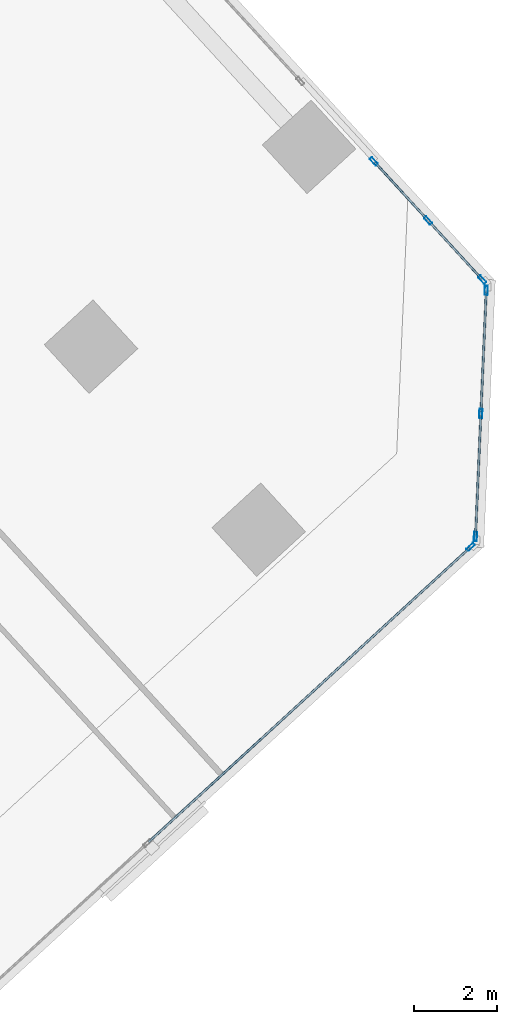
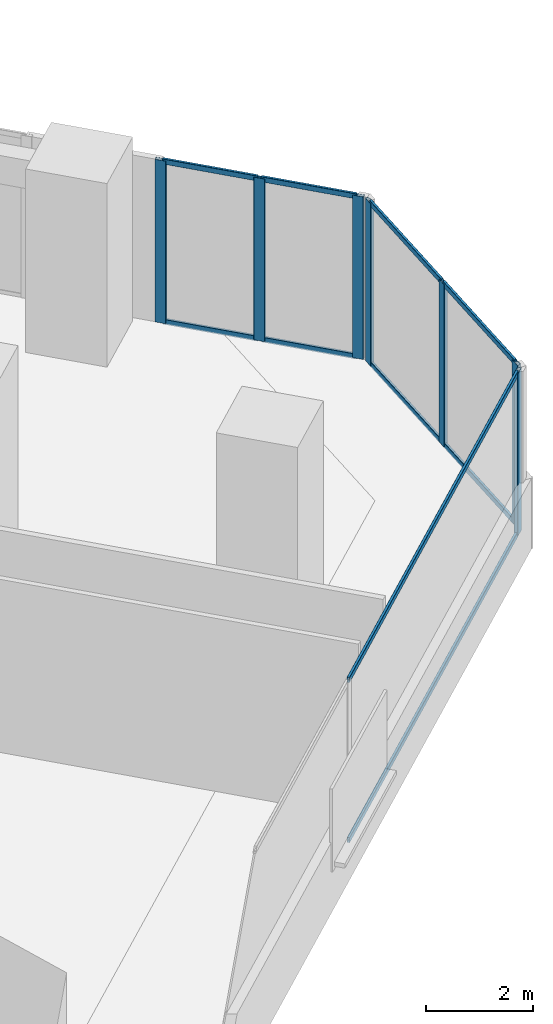
# One storey, part 6 of 16: 17 members, 3 elements without a shape of their own.
"""IFC4 building model written with IfcOpenShell, lengths in metres."""

from ifc_helpers import new_model, si_unit, direction, frame, origin, origin_2d, place, context, subcontext, project, spatial, hollow_rectangle, extrude, source, transform, mapped, material, material_profile, profile_set, type_object, element, aggregate, save


model = new_model("IFC4")

# Units and contexts
model_context = context("Model", 3, precision=1e-05, world=origin(), true_north=direction((0.0, 1.0)))
body_context = subcontext(model_context, "Body", "Model", "MODEL_VIEW")
ifc_project = project(units=[si_unit("LENGTHUNIT", "METRE"), si_unit("AREAUNIT", "SQUARE_METRE"), si_unit("VOLUMEUNIT", "CUBIC_METRE"), si_unit("PLANEANGLEUNIT", "RADIAN"), si_unit("MASSUNIT", "GRAM", prefix="KILO")], contexts=[model_context])

# Site, building, storey
site_placement = place(None, origin())
site = spatial("IfcSite", under=ifc_project, at=site_placement, CompositionType="ELEMENT")
building_placement = place(site_placement, origin())
building = spatial("IfcBuilding", under=site, at=building_placement, Name="Torre Montelarca", CompositionType="ELEMENT")
storey_placement = place(building_placement, frame((0.0, 0.0, 262.60009765625)))
storey = spatial("IfcBuildingStorey", under=building, at=storey_placement, Name="L59", CompositionType="ELEMENT", Elevation=262.60009765625)

# Curtain wall, members
ifc_material_1 = material(Name="Insulated low-E laminated glass", Category="glass")
curtain_wall_type = type_object("IfcCurtainWallType", Name="CW-SYS-Z3", PredefinedType="USERDEFINED", material=ifc_material_1)
curtain_wall_1_placement = place(storey_placement, origin())
curtain_wall_1 = element("IfcCurtainWall", 1, at=curtain_wall_1_placement, inside=storey, type_object=curtain_wall_type, Name="L59 Curtain Wall Run CW-T3-L59-E07-B1", ObjectType="UNITISED GLAZING", PredefinedType="USERDEFINED")
ifc_material_2 = material(Name="Anodised aluminium AA 6063-T6", Category="aluminium")
ifc_material_profile_1 = material_profile(ifc_material_2, hollow_rectangle(XDim=0.054931640625, YDim=0.1201171875, WallThickness=0.00341796875, InnerFilletRadius=0.00341796875, OuterFilletRadius=0.007080078125, at=origin_2d()), Name="ALU55X120X3.5", Category="aluminium")
ifc_profile_set_1 = profile_set([ifc_material_profile_1], Name="Anodised aluminium AA 6063-T6")
member_type_1 = type_object("IfcMemberType", Name="CWT-ALU120", PredefinedType="USERDEFINED", material=ifc_profile_set_1)
shared_shape_1 = source(origin(), body_context, "Body", "SweptSolid", [
    extrude(hollow_rectangle(XDim=0.054931640625, YDim=0.1201171875, WallThickness=0.00341796875, InnerFilletRadius=0.00341796875, OuterFilletRadius=0.007080078125, at=origin_2d()), origin(), (0.0, 0.0, 1.0), 2.903564453125),
])
member_1_placement = place(storey_placement, frame((46.4912109375, 22.1611328125, 0.02734375), z_axis=(0.043637906688, 0.999047412839, 0.0), x_axis=(-0.999047412839, 0.043637906688, 0.0)))
member_1 = element("IfcMember", 2, at=member_1_placement, type_object=member_type_1, Name="CW transom 1.1", ObjectType="TRANSOM", PredefinedType="USERDEFINED", context=body_context, shape_type="MappedRepresentation", body=[
    mapped(shared_shape_1, transform((0.0, 0.0, 0.0), scale=1.0)),
])
member_2_placement = place(storey_placement, frame((46.4912109375, 22.1611328125, 3.6923828125), z_axis=(0.043637906688, 0.999047412839, 0.0), x_axis=(-0.999047412839, 0.043637906688, 0.0)))
member_2 = element("IfcMember", 3, at=member_2_placement, type_object=member_type_1, Name="CW transom 1.2", ObjectType="TRANSOM", PredefinedType="USERDEFINED", context=body_context, shape_type="MappedRepresentation", body=[
    mapped(shared_shape_1, transform((0.0, 0.0, 0.0), scale=1.0)),
])
member_3_placement = place(storey_placement, frame((46.62109375, 25.136962890625, 0.02734375), z_axis=(0.043637906688, 0.999047412839, 0.0), x_axis=(-0.999047412839, 0.043637906688, 0.0)))
member_3 = element("IfcMember", 4, at=member_3_placement, type_object=member_type_1, Name="CW transom 2.1", ObjectType="TRANSOM", PredefinedType="USERDEFINED", context=body_context, shape_type="MappedRepresentation", body=[
    mapped(shared_shape_1, transform((0.0, 0.0, 0.0), scale=1.0)),
])
member_4_placement = place(storey_placement, frame((46.62109375, 25.136962890625, 3.6923828125), z_axis=(0.043637906688, 0.999047412839, 0.0), x_axis=(-0.999047412839, 0.043637906688, 0.0)))
member_4 = element("IfcMember", 5, at=member_4_placement, type_object=member_type_1, Name="CW transom 2.2", ObjectType="TRANSOM", PredefinedType="USERDEFINED", context=body_context, shape_type="MappedRepresentation", body=[
    mapped(shared_shape_1, transform((0.0, 0.0, 0.0), scale=1.0)),
])

# Curtain wall, member
curtain_wall_2_placement = place(storey_placement, origin())
curtain_wall_2 = element("IfcCurtainWall", 6, at=curtain_wall_2_placement, inside=storey, type_object=curtain_wall_type, Name="L59 Curtain Wall Run CW-T3-L59-E06-B1", ObjectType="UNITISED GLAZING", PredefinedType="USERDEFINED")
ifc_material_profile_2 = material_profile(ifc_material_2, hollow_rectangle(XDim=0.074951171875, YDim=0.219970703125, WallThickness=0.0048828125, InnerFilletRadius=0.0048828125, OuterFilletRadius=0.010009765625, at=origin_2d()), Name="ALU75X220X5", Category="aluminium")
ifc_profile_set_2 = profile_set([ifc_material_profile_2], Name="Anodised aluminium AA 6063-T6")
member_type_2 = type_object("IfcMemberType", Name="CWM-ALU220", PredefinedType="MULLION", material=ifc_profile_set_2)
shared_shape_2 = source(origin(), body_context, "Body", "SweptSolid", [
    extrude(hollow_rectangle(XDim=0.074951171875, YDim=0.219970703125, WallThickness=0.0048828125, InnerFilletRadius=0.0048828125, OuterFilletRadius=0.010009765625, at=origin_2d()), origin(), (0.0, 0.0, 1.0), 3.719970703125),
])
member_5_placement = place(storey_placement, frame((46.372802734375, 21.873291015625, 0.0), z_axis=(0.0, 0.0, 1.0), x_axis=(-0.675587287841, 0.73728001228, 0.0)))
member_5 = element("IfcMember", 7, at=member_5_placement, type_object=member_type_2, Name="CW mullion 3", PredefinedType="MULLION", context=body_context, shape_type="MappedRepresentation", body=[
    mapped(shared_shape_2, transform((0.0, 0.0, 0.0), scale=1.0)),
])

# Member
member_6_placement = place(storey_placement, frame((46.489501953125, 22.123779296875, 0.0), z_axis=(0.0, 0.0, 1.0), x_axis=(-0.999048385364, 0.043615635968, 0.0)))
member_6 = element("IfcMember", 8, at=member_6_placement, type_object=member_type_2, Name="CW mullion 1", PredefinedType="MULLION", context=body_context, shape_type="MappedRepresentation", body=[
    mapped(shared_shape_2, transform((0.0, 0.0, 0.0), scale=1.0)),
])

member_7_placement = place(storey_placement, frame((46.619384765625, 25.099365234375, 0.0), z_axis=(0.0, 0.0, 1.0), x_axis=(-0.999048385364, 0.043615635968, 0.0)))
member_7 = element("IfcMember", 9, at=member_7_placement, type_object=member_type_2, Name="CW mullion 2", PredefinedType="MULLION", context=body_context, shape_type="MappedRepresentation", body=[
    mapped(shared_shape_2, transform((0.0, 0.0, 0.0), scale=1.0)),
])

member_8_placement = place(storey_placement, frame((46.749267578125, 28.0751953125, 0.0), z_axis=(0.0, 0.0, 1.0), x_axis=(-0.999048385364, 0.043615635968, 0.0)))
member_8 = element("IfcMember", 10, at=member_8_placement, type_object=member_type_2, Name="CW mullion 3", PredefinedType="MULLION", context=body_context, shape_type="MappedRepresentation", body=[
    mapped(shared_shape_2, transform((0.0, 0.0, 0.0), scale=1.0)),
])

aggregate(curtain_wall_1, [member_6, member_7, member_8, member_1, member_2, member_3, member_4])

# Curtain wall, members
curtain_wall_3_placement = place(storey_placement, origin())
curtain_wall_3 = element("IfcCurtainWall", 11, at=curtain_wall_3_placement, inside=storey, type_object=curtain_wall_type, Name="L59 Curtain Wall Run CW-T3-L59-E08-B1", ObjectType="UNITISED GLAZING", PredefinedType="USERDEFINED")
member_9_placement = place(storey_placement, frame((46.65478515625, 28.334716796875, 0.0), z_axis=(0.0, 0.0, 1.0), x_axis=(-0.73728639427, -0.675580323, 0.0)))
member_9 = element("IfcMember", 12, at=member_9_placement, type_object=member_type_2, Name="CW mullion 1", PredefinedType="MULLION", context=body_context, shape_type="MappedRepresentation", body=[
    mapped(shared_shape_2, transform((0.0, 0.0, 0.0), scale=1.0)),
])
member_10_placement = place(storey_placement, frame((45.344482421875, 29.764892578125, 0.0), z_axis=(0.0, 0.0, 1.0), x_axis=(-0.73728639427, -0.675580323, 0.0)))
member_10 = element("IfcMember", 13, at=member_10_placement, type_object=member_type_2, Name="CW mullion 2", PredefinedType="MULLION", context=body_context, shape_type="MappedRepresentation", body=[
    mapped(shared_shape_2, transform((0.0, 0.0, 0.0), scale=1.0)),
])
member_11_placement = place(storey_placement, frame((44.0341796875, 31.19482421875, 0.0), z_axis=(0.0, 0.0, 1.0), x_axis=(-0.73728639427, -0.675580323, 0.0)))
member_11 = element("IfcMember", 14, at=member_11_placement, type_object=member_type_2, Name="CW mullion 3", PredefinedType="MULLION", context=body_context, shape_type="MappedRepresentation", body=[
    mapped(shared_shape_2, transform((0.0, 0.0, 0.0), scale=1.0)),
])

# Member
shared_shape_3 = source(origin(), body_context, "Body", "SweptSolid", [
    extrude(hollow_rectangle(XDim=0.054931640625, YDim=0.1201171875, WallThickness=0.00341796875, InnerFilletRadius=0.00341796875, OuterFilletRadius=0.007080078125, at=origin_2d()), origin(), (0.0, 0.0, 1.0), 10.521484375),
])
member_12_placement = place(storey_placement, frame((38.587890625, 14.73974609375, 0.02734375), z_axis=(0.737283193408, 0.675583816205, 0.0), x_axis=(-0.675583816205, 0.737283193408, 0.0)))
member_12 = element("IfcMember", 15, at=member_12_placement, type_object=member_type_1, Name="CW transom 2.1", ObjectType="TRANSOM", PredefinedType="USERDEFINED", context=body_context, shape_type="MappedRepresentation", body=[
    mapped(shared_shape_3, transform((0.0, 0.0, 0.0), scale=1.0)),
])

member_13_placement = place(storey_placement, frame((38.587890625, 14.73974609375, 3.6923828125), z_axis=(0.737283193408, 0.675583816205, 0.0), x_axis=(-0.675583816205, 0.737283193408, 0.0)))
member_13 = element("IfcMember", 16, at=member_13_placement, type_object=member_type_1, Name="CW transom 2.2", ObjectType="TRANSOM", PredefinedType="USERDEFINED", context=body_context, shape_type="MappedRepresentation", body=[
    mapped(shared_shape_3, transform((0.0, 0.0, 0.0), scale=1.0)),
])

aggregate(curtain_wall_2, [member_5, member_12, member_13])

shared_shape_4 = source(origin(), body_context, "Body", "SweptSolid", [
    extrude(hollow_rectangle(XDim=0.054931640625, YDim=0.1201171875, WallThickness=0.00341796875, InnerFilletRadius=0.00341796875, OuterFilletRadius=0.007080078125, at=origin_2d()), origin(), (0.0, 0.0, 1.0), 1.86474609375),
])
member_14_placement = place(storey_placement, frame((46.629638671875, 28.3623046875, 0.02734375), z_axis=(-0.675600111618, 0.737268261341, 0.0), x_axis=(-0.737268261341, -0.675600111618, 0.0)))
member_14 = element("IfcMember", 17, at=member_14_placement, type_object=member_type_1, Name="CW transom 1.1", ObjectType="TRANSOM", PredefinedType="USERDEFINED", context=body_context, shape_type="MappedRepresentation", body=[
    mapped(shared_shape_4, transform((0.0, 0.0, 0.0), scale=1.0)),
])

member_15_placement = place(storey_placement, frame((46.629638671875, 28.3623046875, 3.6923828125), z_axis=(-0.675600111618, 0.737268261341, 0.0), x_axis=(-0.737268261341, -0.675600111618, 0.0)))
member_15 = element("IfcMember", 18, at=member_15_placement, type_object=member_type_1, Name="CW transom 1.2", ObjectType="TRANSOM", PredefinedType="USERDEFINED", context=body_context, shape_type="MappedRepresentation", body=[
    mapped(shared_shape_4, transform((0.0, 0.0, 0.0), scale=1.0)),
])

shared_shape_5 = source(origin(), body_context, "Body", "SweptSolid", [
    extrude(hollow_rectangle(XDim=0.054931640625, YDim=0.1201171875, WallThickness=0.00341796875, InnerFilletRadius=0.00341796875, OuterFilletRadius=0.007080078125, at=origin_2d()), origin(), (0.0, 0.0, 1.0), 1.864501953125),
])
member_16_placement = place(storey_placement, frame((45.319091796875, 29.79248046875, 0.02734375), z_axis=(-0.675528933138, 0.737333479841, 0.0), x_axis=(-0.737333479841, -0.675528933138, 0.0)))
member_16 = element("IfcMember", 19, at=member_16_placement, type_object=member_type_1, Name="CW transom 2.1", ObjectType="TRANSOM", PredefinedType="USERDEFINED", context=body_context, shape_type="MappedRepresentation", body=[
    mapped(shared_shape_5, transform((0.0, 0.0, 0.0), scale=1.0)),
])

member_17_placement = place(storey_placement, frame((45.319091796875, 29.79248046875, 3.6923828125), z_axis=(-0.675528933138, 0.737333479841, 0.0), x_axis=(-0.737333479841, -0.675528933138, 0.0)))
member_17 = element("IfcMember", 20, at=member_17_placement, type_object=member_type_1, Name="CW transom 2.2", ObjectType="TRANSOM", PredefinedType="USERDEFINED", context=body_context, shape_type="MappedRepresentation", body=[
    mapped(shared_shape_5, transform((0.0, 0.0, 0.0), scale=1.0)),
])

aggregate(curtain_wall_3, [member_9, member_10, member_11, member_14, member_15, member_16, member_17])

save(model, "model.ifc")
